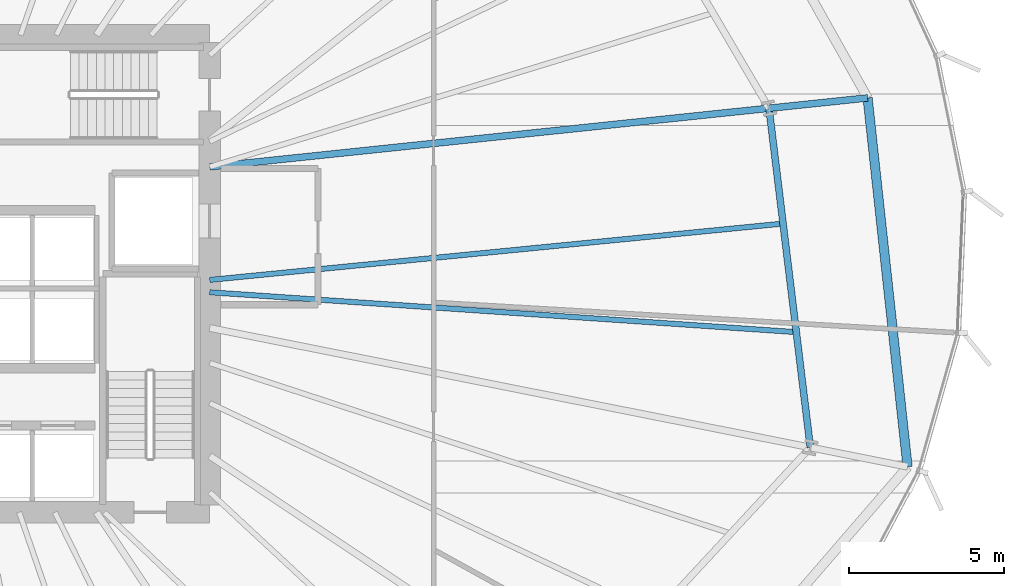
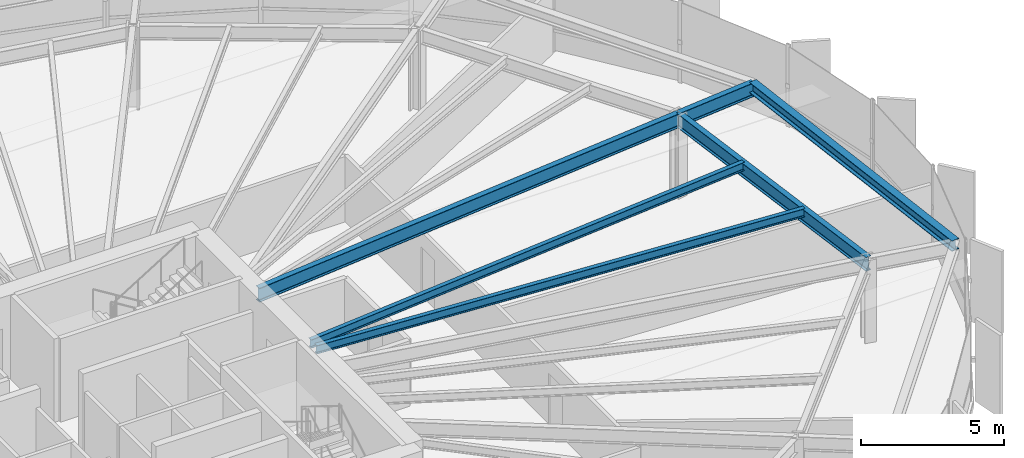
# One storey, part 17 of 37: 6 beams.
"""IFC4 building model written with IfcOpenShell, lengths in metres."""

from ifc_helpers import new_model, si_unit, direction, frame, origin, origin_2d, place, context, subcontext, project, spatial, i_section, extrude, source, transform, mapped, material, material_profile, profile_set, type_object, element, save


model = new_model("IFC4")

# Units and contexts
model_context = context("Model", 3, precision=1e-05, world=origin(), true_north=direction((0.0, 1.0)))
body_context = subcontext(model_context, "Body", "Model", "MODEL_VIEW")
ifc_project = project(units=[si_unit("LENGTHUNIT", "METRE"), si_unit("AREAUNIT", "SQUARE_METRE"), si_unit("VOLUMEUNIT", "CUBIC_METRE"), si_unit("PLANEANGLEUNIT", "RADIAN"), si_unit("MASSUNIT", "GRAM", prefix="KILO"), si_unit("THERMODYNAMICTEMPERATUREUNIT", "KELVIN")], contexts=[model_context])

# Site, building, storey
site_placement = place(None, origin())
site = spatial("IfcSite", under=ifc_project, at=site_placement, CompositionType="ELEMENT")
building_placement = place(site_placement, origin())
building = spatial("IfcBuilding", under=site, at=building_placement, Name="Kethvar Cultural Tower", CompositionType="ELEMENT")
storey_placement = place(building_placement, frame((0.0, 0.0, 48.60009765625)))
storey = spatial("IfcBuildingStorey", under=building, at=storey_placement, Name="L11", CompositionType="ELEMENT", Elevation=48.60009765625)

# Beams
ifc_material = material(Name="Steel S355J2", Category="steel")
ifc_material_profile_1 = material_profile(ifc_material, i_section(OverallWidth=0.219970703125, OverallDepth=0.60009765625, WebThickness=0.011962890625, FlangeThickness=0.01904296875, FilletRadius=0.02392578125, at=origin_2d()), Name="Steel S355J2 — IPE600")
ifc_profile_set_1 = profile_set([ifc_material_profile_1], Name="Steel S355J2 — IPE600")
beam_type_1 = type_object("IfcBeamType", Name="BM-IPE600", PredefinedType="BEAM", material=ifc_profile_set_1)
shared_shape_1 = source(origin(), body_context, "Body", "SweptSolid", [
    extrude(i_section(OverallWidth=0.219970703125, OverallDepth=0.60009765625, WebThickness=0.011962890625, FlangeThickness=0.01904296875, FilletRadius=0.02392578125, at=origin_2d()), origin(), (0.0, 0.0, 1.0), 18.155517578125),
])
beam_1_placement = place(storey_placement, frame((55.60009765625, 31.25, 3.247802734375), z_axis=(0.994554710129, 0.104215778847, 0.0), x_axis=(-0.104215778847, 0.994554710129, 0.0)))
element("IfcBeam", 1, at=beam_1_placement, inside=storey, type_object=beam_type_1, Name="L11 Primary Radial Beam RB-01", PredefinedType="BEAM", context=body_context, shape_type="MappedRepresentation", body=[
    mapped(shared_shape_1, transform((0.0, 0.0, 0.0), scale=1.0)),
])
shared_shape_2 = source(origin(), body_context, "Body", "SweptSolid", [
    extrude(i_section(OverallWidth=0.219970703125, OverallDepth=0.60009765625, WebThickness=0.011962890625, FlangeThickness=0.01904296875, FilletRadius=0.02392578125, at=origin_2d()), origin(), (0.0, 0.0, 1.0), 3.199951171875),
])
beam_2_placement = place(storey_placement, frame((73.65673828125, 33.14208984375, 3.247802734375), z_axis=(0.994554671638, 0.104216146169, 0.0), x_axis=(-0.104216146169, 0.994554671638, 0.0)))
element("IfcBeam", 2, at=beam_2_placement, inside=storey, type_object=beam_type_1, Name="L11 Perimeter Cantilever Beam RC-01", PredefinedType="BEAM", context=body_context, shape_type="MappedRepresentation", body=[
    mapped(shared_shape_2, transform((0.0, 0.0, 0.0), scale=1.0)),
])
shared_shape_3 = source(origin(), body_context, "Body", "SweptSolid", [
    extrude(i_section(OverallWidth=0.219970703125, OverallDepth=0.60009765625, WebThickness=0.011962890625, FlangeThickness=0.01904296875, FilletRadius=0.02392578125, at=origin_2d()), origin(), (0.0, 0.0, 1.0), 11.03076171875),
])
beam_3_placement = place(storey_placement, frame((74.9912109375, 22.1923828125, 3.247802734375), z_axis=(-0.120977779442, 0.992655215511, 0.0), x_axis=(-0.992655215511, -0.120977779442, 0.0)))
element("IfcBeam", 3, at=beam_3_placement, inside=storey, type_object=beam_type_1, Name="L11 Column Ring Tie Beam CR-16", PredefinedType="BEAM", context=body_context, shape_type="MappedRepresentation", body=[
    mapped(shared_shape_3, transform((0.0, 0.0, 0.0), scale=1.0)),
])
ifc_material_profile_2 = material_profile(ifc_material, i_section(OverallWidth=0.169921875, OverallDepth=0.360107421875, WebThickness=0.008056640625, FlangeThickness=0.0126953125, FilletRadius=0.01806640625, at=origin_2d()), Name="Steel S355J2 — IPE360")
ifc_profile_set_2 = profile_set([ifc_material_profile_2], Name="Steel S355J2 — IPE360")
beam_type_2 = type_object("IfcBeamType", Name="BM-J360", PredefinedType="JOIST", material=ifc_profile_set_2)
shared_shape_4 = source(origin(), body_context, "Body", "SweptSolid", [
    extrude(i_section(OverallWidth=0.169921875, OverallDepth=0.360107421875, WebThickness=0.008056640625, FlangeThickness=0.0126953125, FilletRadius=0.01806640625, at=origin_2d()), origin(), (0.0, 0.0, 1.0), 18.981201171875),
])
beam_4_placement = place(storey_placement, frame((55.60009765625, 27.2021484375, 3.367919921875), z_axis=(0.997699141247, -0.067796928805, 0.0), x_axis=(0.067796928805, 0.997699141247, 0.0)))
element("IfcBeam", 4, at=beam_4_placement, inside=storey, type_object=beam_type_2, Name="L11 Composite Floor Joist J-16A", PredefinedType="JOIST", context=body_context, shape_type="MappedRepresentation", body=[
    mapped(shared_shape_4, transform((0.0, 0.0, 0.0), scale=1.0)),
])
shared_shape_5 = source(origin(), body_context, "Body", "SweptSolid", [
    extrude(i_section(OverallWidth=0.169921875, OverallDepth=0.360107421875, WebThickness=0.008056640625, FlangeThickness=0.0126953125, FilletRadius=0.01806640625, at=origin_2d()), origin(), (0.0, 0.0, 1.0), 18.599609375),
])
beam_5_placement = place(storey_placement, frame((55.60009765625, 27.60009765625, 3.367919921875), z_axis=(0.995205855092, 0.097802382335, 0.0), x_axis=(-0.097802382335, 0.995205855092, 0.0)))
element("IfcBeam", 5, at=beam_5_placement, inside=storey, type_object=beam_type_2, Name="L11 Composite Floor Joist J-16B", PredefinedType="JOIST", context=body_context, shape_type="MappedRepresentation", body=[
    mapped(shared_shape_5, transform((0.0, 0.0, 0.0), scale=1.0)),
])
ifc_material_profile_3 = material_profile(ifc_material, i_section(OverallWidth=0.300048828125, OverallDepth=0.449951171875, WebThickness=0.013916015625, FlangeThickness=0.02587890625, FilletRadius=0.027099609375, at=origin_2d()), Name="Steel S355J2 — HEB450")
ifc_profile_set_3 = profile_set([ifc_material_profile_3], Name="Steel S355J2 — HEB450")
beam_type_3 = type_object("IfcBeamType", Name="BM-SP450", PredefinedType="SPANDREL", material=ifc_profile_set_3)
shared_shape_6 = source(origin(), body_context, "Body", "SweptSolid", [
    extrude(i_section(OverallWidth=0.300048828125, OverallDepth=0.449951171875, WebThickness=0.013916015625, FlangeThickness=0.02587890625, FilletRadius=0.027099609375, at=origin_2d()), origin(), (0.0, 0.0, 1.0), 11.977294921875),
])
beam_6_placement = place(storey_placement, frame((78.129638671875, 21.568115234375, 3.322998046875), z_axis=(-0.107728520761, 0.994180348737, 0.0), x_axis=(-0.994180348737, -0.107728520761, 0.0)))
element("IfcBeam", 6, at=beam_6_placement, inside=storey, type_object=beam_type_3, Name="L11 Perimeter Spandrel Beam SP-16", PredefinedType="SPANDREL", context=body_context, shape_type="MappedRepresentation", body=[
    mapped(shared_shape_6, transform((0.0, 0.0, 0.0), scale=1.0)),
])

save(model, "model.ifc")
